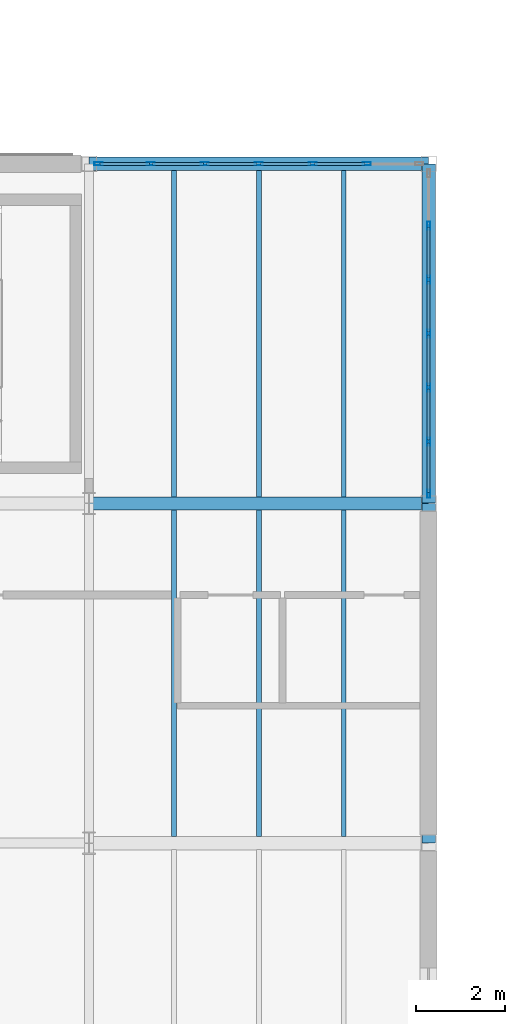
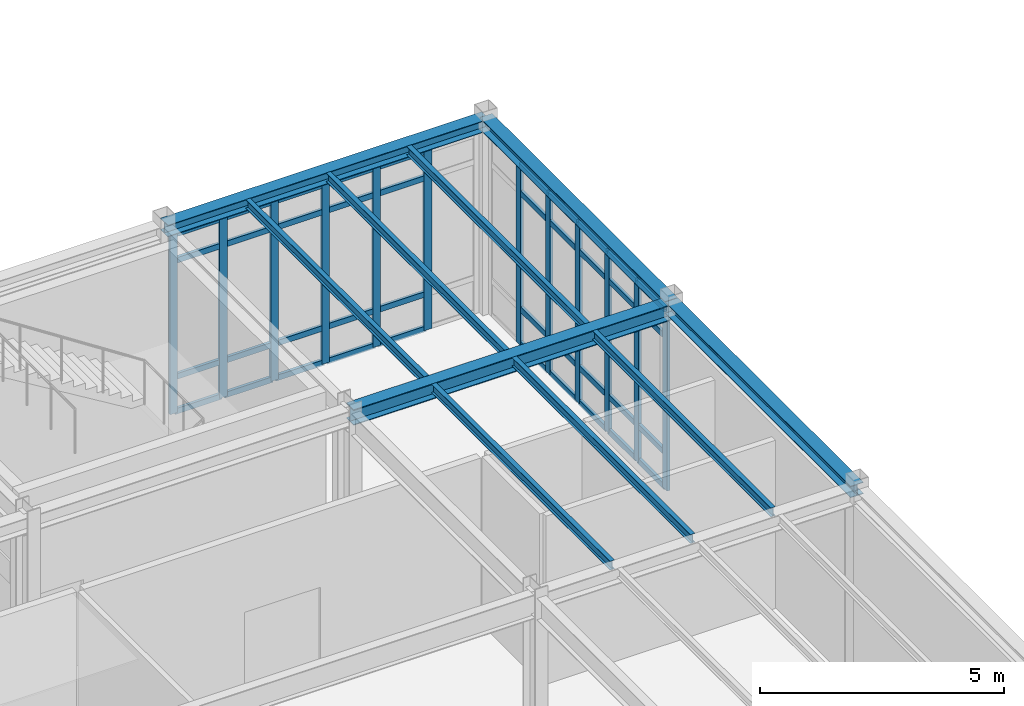
# One storey, part 54 of 109: 52 members, 10 beams, 2 elements without a shape of their own.
"""IFC4 building model written with IfcOpenShell, lengths in metres."""

from ifc_helpers import new_model, si_unit, direction, frame, origin, origin_2d, place, context, subcontext, project, spatial, hollow_rectangle, i_section, extrude, material, layer, layer_set, material_profile, profile_set, type_object, element, aggregate, save


model = new_model("IFC4")

# Units and contexts
model_context = context("Model", 3, precision=1e-05, world=origin(), true_north=direction((0.0, 1.0)))
body_context = subcontext(model_context, "Body", "Model", "MODEL_VIEW")
ifc_project = project(units=[si_unit("LENGTHUNIT", "METRE"), si_unit("AREAUNIT", "SQUARE_METRE"), si_unit("VOLUMEUNIT", "CUBIC_METRE"), si_unit("PLANEANGLEUNIT", "RADIAN"), si_unit("MASSUNIT", "GRAM", prefix="KILO")], contexts=[model_context])

# Site, building, storey
site_placement = place(None, origin())
site = spatial("IfcSite", under=ifc_project, at=site_placement, CompositionType="ELEMENT")
building_placement = place(site_placement, origin())
building = spatial("IfcBuilding", under=site, at=building_placement, Name="Montecoro Central Library", CompositionType="ELEMENT")
storey_placement = place(building_placement, origin())
storey = spatial("IfcBuildingStorey", under=building, at=storey_placement, Name="L00", CompositionType="ELEMENT", Elevation=0.0)

# Beams
ifc_material_1 = material(Name="Steel S355", Category="steel")
ifc_material_profile_1 = material_profile(ifc_material_1, i_section(OverallWidth=0.300048828125, OverallDepth=0.389892578125, WebThickness=0.010986328125, FlangeThickness=0.01904296875, at=origin_2d()), Name="HEA 400")
ifc_profile_set_1 = profile_set([ifc_material_profile_1], Name="Steel S355")
beam_type_1 = type_object("IfcBeamType", Name="BM-G-HEA400", PredefinedType="USERDEFINED", material=ifc_profile_set_1)
beam_1_placement = place(storey_placement, frame((35.405029296875, 103.800048828125, 4.64990234375), z_axis=(1.0, 0.0, 0.0), x_axis=(0.0, 1.0, 0.0)))
element("IfcBeam", 1, at=beam_1_placement, inside=storey, type_object=beam_type_1, Name="V4-L00-BX-56-P", ObjectType="GIRDER", PredefinedType="USERDEFINED", context=body_context, shape_type="SweptSolid", body=[
    extrude(i_section(OverallWidth=0.300048828125, OverallDepth=0.389892578125, WebThickness=0.010986328125, FlangeThickness=0.01904296875, at=origin_2d()), origin(), (0.0, 0.0, 1.0), 7.590087890625),
])
ifc_material_profile_2 = material_profile(ifc_material_1, i_section(OverallWidth=0.110107421875, OverallDepth=0.219970703125, WebThickness=0.005859375, FlangeThickness=0.00927734375, at=origin_2d()), Name="IPE 220")
ifc_profile_set_2 = profile_set([ifc_material_profile_2], Name="Steel S355")
beam_type_2 = type_object("IfcBeamType", Name="BM-J-IPE220", PredefinedType="JOIST", material=ifc_profile_set_2)
for number, where, z_axis, x_axis, name in (
    (2, (37.300048828125, 96.346923828125, 4.735107421875), (0.0, 1.0, 0.0), (-1.0, 0.0, 0.0), "V4-L00-JS-56-NP-1"),
    (3, (39.199951171875, 96.346923828125, 4.735107421875), (0.0, 1.0, 0.0), (-1.0, 0.0, 0.0), "V4-L00-JS-56-NP-2"),
    (4, (41.10009765625, 96.346923828125, 4.735107421875), (0.0, 1.0, 0.0), (-1.0, 0.0, 0.0), "V4-L00-JS-56-NP-3"),
):
    element("IfcBeam", number, at=place(storey_placement, frame(where, z_axis=z_axis, x_axis=x_axis)), inside=storey, type_object=beam_type_2, Name=name, PredefinedType="JOIST", context=body_context, shape_type="SweptSolid", body=[
        extrude(i_section(OverallWidth=0.110107421875, OverallDepth=0.219970703125, WebThickness=0.005859375, FlangeThickness=0.00927734375, at=origin_2d()), origin(), (0.0, 0.0, 1.0), 7.30615234375),
    ])
for number, where, z_axis, x_axis, name in (
    (5, (37.300048828125, 103.947021484375, 4.735107421875), (0.0, 1.0, 0.0), (-1.0, 0.0, 0.0), "V4-L00-JS-56-PQ-1"),
    (6, (39.199951171875, 103.947021484375, 4.735107421875), (0.0, 1.0, 0.0), (-1.0, 0.0, 0.0), "V4-L00-JS-56-PQ-2"),
    (7, (41.10009765625, 103.947021484375, 4.735107421875), (0.0, 1.0, 0.0), (-1.0, 0.0, 0.0), "V4-L00-JS-56-PQ-3"),
):
    element("IfcBeam", number, at=place(storey_placement, frame(where, z_axis=z_axis, x_axis=x_axis)), inside=storey, type_object=beam_type_2, Name=name, PredefinedType="JOIST", context=body_context, shape_type="SweptSolid", body=[
        extrude(i_section(OverallWidth=0.110107421875, OverallDepth=0.219970703125, WebThickness=0.005859375, FlangeThickness=0.00927734375, at=origin_2d()), origin(), (0.0, 0.0, 1.0), 7.305908203125),
    ])
ifc_material_profile_3 = material_profile(ifc_material_1, i_section(OverallWidth=0.300048828125, OverallDepth=0.2900390625, WebThickness=0.008544921875, FlangeThickness=0.013916015625, at=origin_2d()), Name="HEA 300")
ifc_profile_set_3 = profile_set([ifc_material_profile_3], Name="Steel S355")
beam_type_3 = type_object("IfcBeamType", Name="BM-SP-HEA300", PredefinedType="SPANDREL", material=ifc_profile_set_3)
beam_2_placement = place(storey_placement, frame((35.405029296875, 111.39990234375, 4.699951171875), z_axis=(1.0, 0.0, 0.0), x_axis=(0.0, 1.0, 0.0)))
element("IfcBeam", 8, at=beam_2_placement, inside=storey, type_object=beam_type_3, Name="V4-L00-BX-56-Q", PredefinedType="SPANDREL", context=body_context, shape_type="SweptSolid", body=[
    extrude(i_section(OverallWidth=0.300048828125, OverallDepth=0.2900390625, WebThickness=0.008544921875, FlangeThickness=0.013916015625, at=origin_2d()), origin(), (0.0, 0.0, 1.0), 7.590087890625),
])
beam_3_placement = place(storey_placement, frame((43.0, 96.205078125, 4.699951171875), z_axis=(0.0, 1.0, 0.0), x_axis=(-1.0, 0.0, 0.0)))
element("IfcBeam", 9, at=beam_3_placement, inside=storey, type_object=beam_type_3, Name="V4-L00-BY-6-NP", PredefinedType="SPANDREL", context=body_context, shape_type="SweptSolid", body=[
    extrude(i_section(OverallWidth=0.300048828125, OverallDepth=0.2900390625, WebThickness=0.008544921875, FlangeThickness=0.013916015625, at=origin_2d()), origin(), (0.0, 0.0, 1.0), 7.58984375),
])
beam_4_placement = place(storey_placement, frame((43.0, 103.804931640625, 4.699951171875), z_axis=(0.0, 1.0, 0.0), x_axis=(-1.0, 0.0, 0.0)))
element("IfcBeam", 10, at=beam_4_placement, inside=storey, type_object=beam_type_3, Name="V4-L00-BY-6-PQ", PredefinedType="SPANDREL", context=body_context, shape_type="SweptSolid", body=[
    extrude(i_section(OverallWidth=0.300048828125, OverallDepth=0.2900390625, WebThickness=0.008544921875, FlangeThickness=0.013916015625, at=origin_2d()), origin(), (0.0, 0.0, 1.0), 7.590087890625),
])

# Curtain wall, members
ifc_material_2 = material(Name="Bronze-anodised aluminium and low-E glazing", Category="aluminium")
ifc_layer_1 = layer(ifc_material_2, 0.159912109375)
ifc_layer_set_1 = layer_set([ifc_layer_1], Name="Bronze-anodised aluminium and low-E glazing")
curtain_wall_type_1 = type_object("IfcCurtainWallType", Name="CWT-039", PredefinedType="NOTDEFINED", material=ifc_layer_set_1)
curtain_wall_1_placement = place(storey_placement, origin())
curtain_wall_1 = element("IfcCurtainWall", 11, at=curtain_wall_1_placement, inside=storey, type_object=curtain_wall_type_1, Name="V4-L00-CW-E4", PredefinedType="NOTDEFINED")
ifc_material_3 = material(Name="Bronze-anodised aluminium", Category="aluminium")
ifc_material_profile_4 = material_profile(ifc_material_3, hollow_rectangle(XDim=0.070068359375, YDim=0.179931640625, WallThickness=0.0048828125, at=origin_2d()), Name="CWM 180x70x5.0")
ifc_profile_set_4 = profile_set([ifc_material_profile_4], Name="Bronze-anodised aluminium")
member_type_1 = type_object("IfcMemberType", Name="CWM-BRZ-70", PredefinedType="MULLION", material=ifc_profile_set_4)
member_1_placement = place(storey_placement, frame((43.0, 104.012939453125, 0.0), z_axis=(0.0, 0.0, 1.0), x_axis=(-1.0, 0.0, 0.0)))
member_1 = element("IfcMember", 12, at=member_1_placement, type_object=member_type_1, Name="CW-039 mullion 1", PredefinedType="MULLION", context=body_context, shape_type="SweptSolid", body=[
    extrude(hollow_rectangle(XDim=0.070068359375, YDim=0.179931640625, WallThickness=0.0048828125, at=origin_2d()), origin(), (0.0, 0.0, 1.0), 4.5),
])
member_2_placement = place(storey_placement, frame((43.0, 105.185302734375, 0.0), z_axis=(0.0, 0.0, 1.0), x_axis=(-1.0, 0.0, 0.0)))
member_2 = element("IfcMember", 13, at=member_2_placement, type_object=member_type_1, Name="CW-039 mullion 2", PredefinedType="MULLION", context=body_context, shape_type="SweptSolid", body=[
    extrude(hollow_rectangle(XDim=0.070068359375, YDim=0.179931640625, WallThickness=0.0048828125, at=origin_2d()), origin(), (0.0, 0.0, 1.0), 4.5),
])
member_3_placement = place(storey_placement, frame((43.0, 106.392578125, 0.0), z_axis=(0.0, 0.0, 1.0), x_axis=(-1.0, 0.0, 0.0)))
member_3 = element("IfcMember", 14, at=member_3_placement, type_object=member_type_1, Name="CW-039 mullion 3", PredefinedType="MULLION", context=body_context, shape_type="SweptSolid", body=[
    extrude(hollow_rectangle(XDim=0.070068359375, YDim=0.179931640625, WallThickness=0.0048828125, at=origin_2d()), origin(), (0.0, 0.0, 1.0), 4.5),
])
member_4_placement = place(storey_placement, frame((43.0, 107.60009765625, 0.0), z_axis=(0.0, 0.0, 1.0), x_axis=(-1.0, 0.0, 0.0)))
member_4 = element("IfcMember", 15, at=member_4_placement, type_object=member_type_1, Name="CW-039 mullion 4", PredefinedType="MULLION", context=body_context, shape_type="SweptSolid", body=[
    extrude(hollow_rectangle(XDim=0.070068359375, YDim=0.179931640625, WallThickness=0.0048828125, at=origin_2d()), origin(), (0.0, 0.0, 1.0), 4.5),
])
member_5_placement = place(storey_placement, frame((43.0, 108.807373046875, 0.0), z_axis=(0.0, 0.0, 1.0), x_axis=(-1.0, 0.0, 0.0)))
member_5 = element("IfcMember", 16, at=member_5_placement, type_object=member_type_1, Name="CW-039 mullion 5", PredefinedType="MULLION", context=body_context, shape_type="SweptSolid", body=[
    extrude(hollow_rectangle(XDim=0.070068359375, YDim=0.179931640625, WallThickness=0.0048828125, at=origin_2d()), origin(), (0.0, 0.0, 1.0), 4.5),
])
member_6_placement = place(storey_placement, frame((43.0, 110.0146484375, 0.0), z_axis=(0.0, 0.0, 1.0), x_axis=(-1.0, 0.0, 0.0)))
member_6 = element("IfcMember", 17, at=member_6_placement, type_object=member_type_1, Name="CW-039 mullion 6", PredefinedType="MULLION", context=body_context, shape_type="SweptSolid", body=[
    extrude(hollow_rectangle(XDim=0.070068359375, YDim=0.179931640625, WallThickness=0.0048828125, at=origin_2d()), origin(), (0.0, 0.0, 1.0), 4.5),
])

ifc_layer_2 = layer(ifc_material_2, 0.159912109375)
ifc_layer_set_2 = layer_set([ifc_layer_2], Name="Bronze-anodised aluminium and low-E glazing")
curtain_wall_type_2 = type_object("IfcCurtainWallType", Name="CWT-040", PredefinedType="NOTDEFINED", material=ifc_layer_set_2)
curtain_wall_2_placement = place(storey_placement, origin())
curtain_wall_2 = element("IfcCurtainWall", 18, at=curtain_wall_2_placement, inside=storey, type_object=curtain_wall_type_2, Name="V4-L00-CW-N4", PredefinedType="NOTDEFINED")
member_7_placement = place(storey_placement, frame((41.61474609375, 111.39990234375, 0.0), z_axis=(0.0, 0.0, 1.0), x_axis=(0.0, -1.0, 0.0)))
member_7 = element("IfcMember", 19, at=member_7_placement, type_object=member_type_1, Name="CW-040 mullion 2", PredefinedType="MULLION", context=body_context, shape_type="SweptSolid", body=[
    extrude(hollow_rectangle(XDim=0.070068359375, YDim=0.179931640625, WallThickness=0.0048828125, at=origin_2d()), origin(), (0.0, 0.0, 1.0), 4.5),
])
member_8_placement = place(storey_placement, frame((40.4072265625, 111.39990234375, 0.0), z_axis=(0.0, 0.0, 1.0), x_axis=(0.0, -1.0, 0.0)))
member_8 = element("IfcMember", 20, at=member_8_placement, type_object=member_type_1, Name="CW-040 mullion 3", PredefinedType="MULLION", context=body_context, shape_type="SweptSolid", body=[
    extrude(hollow_rectangle(XDim=0.070068359375, YDim=0.179931640625, WallThickness=0.0048828125, at=origin_2d()), origin(), (0.0, 0.0, 1.0), 4.5),
])
member_9_placement = place(storey_placement, frame((39.199951171875, 111.39990234375, 0.0), z_axis=(0.0, 0.0, 1.0), x_axis=(0.0, -1.0, 0.0)))
member_9 = element("IfcMember", 21, at=member_9_placement, type_object=member_type_1, Name="CW-040 mullion 4", PredefinedType="MULLION", context=body_context, shape_type="SweptSolid", body=[
    extrude(hollow_rectangle(XDim=0.070068359375, YDim=0.179931640625, WallThickness=0.0048828125, at=origin_2d()), origin(), (0.0, 0.0, 1.0), 4.5),
])
member_10_placement = place(storey_placement, frame((37.99267578125, 111.39990234375, 0.0), z_axis=(0.0, 0.0, 1.0), x_axis=(0.0, -1.0, 0.0)))
member_10 = element("IfcMember", 22, at=member_10_placement, type_object=member_type_1, Name="CW-040 mullion 5", PredefinedType="MULLION", context=body_context, shape_type="SweptSolid", body=[
    extrude(hollow_rectangle(XDim=0.070068359375, YDim=0.179931640625, WallThickness=0.0048828125, at=origin_2d()), origin(), (0.0, 0.0, 1.0), 4.5),
])
member_11_placement = place(storey_placement, frame((36.785400390625, 111.39990234375, 0.0), z_axis=(0.0, 0.0, 1.0), x_axis=(0.0, -1.0, 0.0)))
member_11 = element("IfcMember", 23, at=member_11_placement, type_object=member_type_1, Name="CW-040 mullion 6", PredefinedType="MULLION", context=body_context, shape_type="SweptSolid", body=[
    extrude(hollow_rectangle(XDim=0.070068359375, YDim=0.179931640625, WallThickness=0.0048828125, at=origin_2d()), origin(), (0.0, 0.0, 1.0), 4.5),
])
member_12_placement = place(storey_placement, frame((35.613037109375, 111.39990234375, 0.0), z_axis=(0.0, 0.0, 1.0), x_axis=(0.0, -1.0, 0.0)))
member_12 = element("IfcMember", 24, at=member_12_placement, type_object=member_type_1, Name="CW-040 mullion 7", PredefinedType="MULLION", context=body_context, shape_type="SweptSolid", body=[
    extrude(hollow_rectangle(XDim=0.070068359375, YDim=0.179931640625, WallThickness=0.0048828125, at=origin_2d()), origin(), (0.0, 0.0, 1.0), 4.5),
])

# Member
ifc_material_profile_5 = material_profile(ifc_material_3, hollow_rectangle(XDim=0.070068359375, YDim=0.139892578125, WallThickness=0.00390625, at=origin_2d()), Name="CWT 140x70x4.0")
ifc_profile_set_5 = profile_set([ifc_material_profile_5], Name="Bronze-anodised aluminium")
member_type_2 = type_object("IfcMemberType", Name="CWT-BRZ-70", PredefinedType="USERDEFINED", material=ifc_profile_set_5)
member_13_placement = place(storey_placement, frame((43.0, 104.048095703125, 0.034912109375), z_axis=(0.0, 1.0, 0.0), x_axis=(-1.0, 0.0, 0.0)))
member_13 = element("IfcMember", 25, at=member_13_placement, type_object=member_type_2, Name="CW-039 transom 1.1", ObjectType="TRANSOM", PredefinedType="USERDEFINED", context=body_context, shape_type="SweptSolid", body=[
    extrude(hollow_rectangle(XDim=0.070068359375, YDim=0.139892578125, WallThickness=0.00390625, at=origin_2d()), origin(), (0.0, 0.0, 1.0), 1.102294921875),
])

member_14_placement = place(storey_placement, frame((43.0, 104.048095703125, 0.89990234375), z_axis=(0.0, 1.0, 0.0), x_axis=(-1.0, 0.0, 0.0)))
member_14 = element("IfcMember", 26, at=member_14_placement, type_object=member_type_2, Name="CW-039 transom 1.2", ObjectType="TRANSOM", PredefinedType="USERDEFINED", context=body_context, shape_type="SweptSolid", body=[
    extrude(hollow_rectangle(XDim=0.070068359375, YDim=0.139892578125, WallThickness=0.00390625, at=origin_2d()), origin(), (0.0, 0.0, 1.0), 1.102294921875),
])

member_15_placement = place(storey_placement, frame((43.0, 104.048095703125, 3.800048828125), z_axis=(0.0, 1.0, 0.0), x_axis=(-1.0, 0.0, 0.0)))
member_15 = element("IfcMember", 27, at=member_15_placement, type_object=member_type_2, Name="CW-039 transom 1.3", ObjectType="TRANSOM", PredefinedType="USERDEFINED", context=body_context, shape_type="SweptSolid", body=[
    extrude(hollow_rectangle(XDim=0.070068359375, YDim=0.139892578125, WallThickness=0.00390625, at=origin_2d()), origin(), (0.0, 0.0, 1.0), 1.102294921875),
])

member_16_placement = place(storey_placement, frame((43.0, 104.048095703125, 4.465087890625), z_axis=(0.0, 1.0, 0.0), x_axis=(-1.0, 0.0, 0.0)))
member_16 = element("IfcMember", 28, at=member_16_placement, type_object=member_type_2, Name="CW-039 transom 1.4", ObjectType="TRANSOM", PredefinedType="USERDEFINED", context=body_context, shape_type="SweptSolid", body=[
    extrude(hollow_rectangle(XDim=0.070068359375, YDim=0.139892578125, WallThickness=0.00390625, at=origin_2d()), origin(), (0.0, 0.0, 1.0), 1.102294921875),
])

member_17_placement = place(storey_placement, frame((43.0, 105.22021484375, 0.034912109375), z_axis=(0.0, 1.0, 0.0), x_axis=(-1.0, 0.0, 0.0)))
member_17 = element("IfcMember", 29, at=member_17_placement, type_object=member_type_2, Name="CW-039 transom 2.1", ObjectType="TRANSOM", PredefinedType="USERDEFINED", context=body_context, shape_type="SweptSolid", body=[
    extrude(hollow_rectangle(XDim=0.070068359375, YDim=0.139892578125, WallThickness=0.00390625, at=origin_2d()), origin(), (0.0, 0.0, 1.0), 1.137451171875),
])

member_18_placement = place(storey_placement, frame((43.0, 105.22021484375, 0.89990234375), z_axis=(0.0, 1.0, 0.0), x_axis=(-1.0, 0.0, 0.0)))
member_18 = element("IfcMember", 30, at=member_18_placement, type_object=member_type_2, Name="CW-039 transom 2.2", ObjectType="TRANSOM", PredefinedType="USERDEFINED", context=body_context, shape_type="SweptSolid", body=[
    extrude(hollow_rectangle(XDim=0.070068359375, YDim=0.139892578125, WallThickness=0.00390625, at=origin_2d()), origin(), (0.0, 0.0, 1.0), 1.137451171875),
])

member_19_placement = place(storey_placement, frame((43.0, 105.22021484375, 3.800048828125), z_axis=(0.0, 1.0, 0.0), x_axis=(-1.0, 0.0, 0.0)))
member_19 = element("IfcMember", 31, at=member_19_placement, type_object=member_type_2, Name="CW-039 transom 2.3", ObjectType="TRANSOM", PredefinedType="USERDEFINED", context=body_context, shape_type="SweptSolid", body=[
    extrude(hollow_rectangle(XDim=0.070068359375, YDim=0.139892578125, WallThickness=0.00390625, at=origin_2d()), origin(), (0.0, 0.0, 1.0), 1.137451171875),
])

member_20_placement = place(storey_placement, frame((43.0, 105.22021484375, 4.465087890625), z_axis=(0.0, 1.0, 0.0), x_axis=(-1.0, 0.0, 0.0)))
member_20 = element("IfcMember", 32, at=member_20_placement, type_object=member_type_2, Name="CW-039 transom 2.4", ObjectType="TRANSOM", PredefinedType="USERDEFINED", context=body_context, shape_type="SweptSolid", body=[
    extrude(hollow_rectangle(XDim=0.070068359375, YDim=0.139892578125, WallThickness=0.00390625, at=origin_2d()), origin(), (0.0, 0.0, 1.0), 1.137451171875),
])

member_21_placement = place(storey_placement, frame((43.0, 106.427734375, 0.034912109375), z_axis=(0.0, 1.0, 0.0), x_axis=(-1.0, 0.0, 0.0)))
member_21 = element("IfcMember", 33, at=member_21_placement, type_object=member_type_2, Name="CW-039 transom 3.1", ObjectType="TRANSOM", PredefinedType="USERDEFINED", context=body_context, shape_type="SweptSolid", body=[
    extrude(hollow_rectangle(XDim=0.070068359375, YDim=0.139892578125, WallThickness=0.00390625, at=origin_2d()), origin(), (0.0, 0.0, 1.0), 1.13720703125),
])

member_22_placement = place(storey_placement, frame((43.0, 106.427734375, 0.89990234375), z_axis=(0.0, 1.0, 0.0), x_axis=(-1.0, 0.0, 0.0)))
member_22 = element("IfcMember", 34, at=member_22_placement, type_object=member_type_2, Name="CW-039 transom 3.2", ObjectType="TRANSOM", PredefinedType="USERDEFINED", context=body_context, shape_type="SweptSolid", body=[
    extrude(hollow_rectangle(XDim=0.070068359375, YDim=0.139892578125, WallThickness=0.00390625, at=origin_2d()), origin(), (0.0, 0.0, 1.0), 1.13720703125),
])

member_23_placement = place(storey_placement, frame((43.0, 106.427734375, 3.800048828125), z_axis=(0.0, 1.0, 0.0), x_axis=(-1.0, 0.0, 0.0)))
member_23 = element("IfcMember", 35, at=member_23_placement, type_object=member_type_2, Name="CW-039 transom 3.3", ObjectType="TRANSOM", PredefinedType="USERDEFINED", context=body_context, shape_type="SweptSolid", body=[
    extrude(hollow_rectangle(XDim=0.070068359375, YDim=0.139892578125, WallThickness=0.00390625, at=origin_2d()), origin(), (0.0, 0.0, 1.0), 1.13720703125),
])

member_24_placement = place(storey_placement, frame((43.0, 106.427734375, 4.465087890625), z_axis=(0.0, 1.0, 0.0), x_axis=(-1.0, 0.0, 0.0)))
member_24 = element("IfcMember", 36, at=member_24_placement, type_object=member_type_2, Name="CW-039 transom 3.4", ObjectType="TRANSOM", PredefinedType="USERDEFINED", context=body_context, shape_type="SweptSolid", body=[
    extrude(hollow_rectangle(XDim=0.070068359375, YDim=0.139892578125, WallThickness=0.00390625, at=origin_2d()), origin(), (0.0, 0.0, 1.0), 1.13720703125),
])

member_25_placement = place(storey_placement, frame((43.0, 107.635009765625, 0.034912109375), z_axis=(0.0, 1.0, 0.0), x_axis=(-1.0, 0.0, 0.0)))
member_25 = element("IfcMember", 37, at=member_25_placement, type_object=member_type_2, Name="CW-039 transom 4.1", ObjectType="TRANSOM", PredefinedType="USERDEFINED", context=body_context, shape_type="SweptSolid", body=[
    extrude(hollow_rectangle(XDim=0.070068359375, YDim=0.139892578125, WallThickness=0.00390625, at=origin_2d()), origin(), (0.0, 0.0, 1.0), 1.13720703125),
])

member_26_placement = place(storey_placement, frame((43.0, 107.635009765625, 0.89990234375), z_axis=(0.0, 1.0, 0.0), x_axis=(-1.0, 0.0, 0.0)))
member_26 = element("IfcMember", 38, at=member_26_placement, type_object=member_type_2, Name="CW-039 transom 4.2", ObjectType="TRANSOM", PredefinedType="USERDEFINED", context=body_context, shape_type="SweptSolid", body=[
    extrude(hollow_rectangle(XDim=0.070068359375, YDim=0.139892578125, WallThickness=0.00390625, at=origin_2d()), origin(), (0.0, 0.0, 1.0), 1.13720703125),
])

member_27_placement = place(storey_placement, frame((43.0, 107.635009765625, 3.800048828125), z_axis=(0.0, 1.0, 0.0), x_axis=(-1.0, 0.0, 0.0)))
member_27 = element("IfcMember", 39, at=member_27_placement, type_object=member_type_2, Name="CW-039 transom 4.3", ObjectType="TRANSOM", PredefinedType="USERDEFINED", context=body_context, shape_type="SweptSolid", body=[
    extrude(hollow_rectangle(XDim=0.070068359375, YDim=0.139892578125, WallThickness=0.00390625, at=origin_2d()), origin(), (0.0, 0.0, 1.0), 1.13720703125),
])

member_28_placement = place(storey_placement, frame((43.0, 107.635009765625, 4.465087890625), z_axis=(0.0, 1.0, 0.0), x_axis=(-1.0, 0.0, 0.0)))
member_28 = element("IfcMember", 40, at=member_28_placement, type_object=member_type_2, Name="CW-039 transom 4.4", ObjectType="TRANSOM", PredefinedType="USERDEFINED", context=body_context, shape_type="SweptSolid", body=[
    extrude(hollow_rectangle(XDim=0.070068359375, YDim=0.139892578125, WallThickness=0.00390625, at=origin_2d()), origin(), (0.0, 0.0, 1.0), 1.13720703125),
])

member_29_placement = place(storey_placement, frame((43.0, 108.84228515625, 0.034912109375), z_axis=(0.0, 1.0, 0.0), x_axis=(-1.0, 0.0, 0.0)))
member_29 = element("IfcMember", 41, at=member_29_placement, type_object=member_type_2, Name="CW-039 transom 5.1", ObjectType="TRANSOM", PredefinedType="USERDEFINED", context=body_context, shape_type="SweptSolid", body=[
    extrude(hollow_rectangle(XDim=0.070068359375, YDim=0.139892578125, WallThickness=0.00390625, at=origin_2d()), origin(), (0.0, 0.0, 1.0), 1.137451171875),
])

member_30_placement = place(storey_placement, frame((43.0, 108.84228515625, 0.89990234375), z_axis=(0.0, 1.0, 0.0), x_axis=(-1.0, 0.0, 0.0)))
member_30 = element("IfcMember", 42, at=member_30_placement, type_object=member_type_2, Name="CW-039 transom 5.2", ObjectType="TRANSOM", PredefinedType="USERDEFINED", context=body_context, shape_type="SweptSolid", body=[
    extrude(hollow_rectangle(XDim=0.070068359375, YDim=0.139892578125, WallThickness=0.00390625, at=origin_2d()), origin(), (0.0, 0.0, 1.0), 1.137451171875),
])

member_31_placement = place(storey_placement, frame((43.0, 108.84228515625, 3.800048828125), z_axis=(0.0, 1.0, 0.0), x_axis=(-1.0, 0.0, 0.0)))
member_31 = element("IfcMember", 43, at=member_31_placement, type_object=member_type_2, Name="CW-039 transom 5.3", ObjectType="TRANSOM", PredefinedType="USERDEFINED", context=body_context, shape_type="SweptSolid", body=[
    extrude(hollow_rectangle(XDim=0.070068359375, YDim=0.139892578125, WallThickness=0.00390625, at=origin_2d()), origin(), (0.0, 0.0, 1.0), 1.137451171875),
])

member_32_placement = place(storey_placement, frame((43.0, 108.84228515625, 4.465087890625), z_axis=(0.0, 1.0, 0.0), x_axis=(-1.0, 0.0, 0.0)))
member_32 = element("IfcMember", 44, at=member_32_placement, type_object=member_type_2, Name="CW-039 transom 5.4", ObjectType="TRANSOM", PredefinedType="USERDEFINED", context=body_context, shape_type="SweptSolid", body=[
    extrude(hollow_rectangle(XDim=0.070068359375, YDim=0.139892578125, WallThickness=0.00390625, at=origin_2d()), origin(), (0.0, 0.0, 1.0), 1.137451171875),
])

aggregate(curtain_wall_1, [member_1, member_2, member_3, member_4, member_5, member_6, member_13, member_14, member_15, member_16, member_17, member_18, member_19, member_20, member_21, member_22, member_23, member_24, member_25, member_26, member_27, member_28, member_29, member_30, member_31, member_32])

member_33_placement = place(storey_placement, frame((41.57958984375, 111.39990234375, 0.034912109375), z_axis=(-1.0, 0.0, 0.0), x_axis=(0.0, -1.0, 0.0)))
member_33 = element("IfcMember", 45, at=member_33_placement, type_object=member_type_2, Name="CW-040 transom 2.1", ObjectType="TRANSOM", PredefinedType="USERDEFINED", context=body_context, shape_type="SweptSolid", body=[
    extrude(hollow_rectangle(XDim=0.070068359375, YDim=0.139892578125, WallThickness=0.00390625, at=origin_2d()), origin(), (0.0, 0.0, 1.0), 1.13720703125),
])

member_34_placement = place(storey_placement, frame((41.57958984375, 111.39990234375, 0.89990234375), z_axis=(-1.0, 0.0, 0.0), x_axis=(0.0, -1.0, 0.0)))
member_34 = element("IfcMember", 46, at=member_34_placement, type_object=member_type_2, Name="CW-040 transom 2.2", ObjectType="TRANSOM", PredefinedType="USERDEFINED", context=body_context, shape_type="SweptSolid", body=[
    extrude(hollow_rectangle(XDim=0.070068359375, YDim=0.139892578125, WallThickness=0.00390625, at=origin_2d()), origin(), (0.0, 0.0, 1.0), 1.13720703125),
])

member_35_placement = place(storey_placement, frame((41.57958984375, 111.39990234375, 3.800048828125), z_axis=(-1.0, 0.0, 0.0), x_axis=(0.0, -1.0, 0.0)))
member_35 = element("IfcMember", 47, at=member_35_placement, type_object=member_type_2, Name="CW-040 transom 2.3", ObjectType="TRANSOM", PredefinedType="USERDEFINED", context=body_context, shape_type="SweptSolid", body=[
    extrude(hollow_rectangle(XDim=0.070068359375, YDim=0.139892578125, WallThickness=0.00390625, at=origin_2d()), origin(), (0.0, 0.0, 1.0), 1.13720703125),
])

member_36_placement = place(storey_placement, frame((41.57958984375, 111.39990234375, 4.465087890625), z_axis=(-1.0, 0.0, 0.0), x_axis=(0.0, -1.0, 0.0)))
member_36 = element("IfcMember", 48, at=member_36_placement, type_object=member_type_2, Name="CW-040 transom 2.4", ObjectType="TRANSOM", PredefinedType="USERDEFINED", context=body_context, shape_type="SweptSolid", body=[
    extrude(hollow_rectangle(XDim=0.070068359375, YDim=0.139892578125, WallThickness=0.00390625, at=origin_2d()), origin(), (0.0, 0.0, 1.0), 1.13720703125),
])

member_37_placement = place(storey_placement, frame((40.372314453125, 111.39990234375, 0.034912109375), z_axis=(-1.0, 0.0, 0.0), x_axis=(0.0, -1.0, 0.0)))
member_37 = element("IfcMember", 49, at=member_37_placement, type_object=member_type_2, Name="CW-040 transom 3.1", ObjectType="TRANSOM", PredefinedType="USERDEFINED", context=body_context, shape_type="SweptSolid", body=[
    extrude(hollow_rectangle(XDim=0.070068359375, YDim=0.139892578125, WallThickness=0.00390625, at=origin_2d()), origin(), (0.0, 0.0, 1.0), 1.13720703125),
])

member_38_placement = place(storey_placement, frame((40.372314453125, 111.39990234375, 0.89990234375), z_axis=(-1.0, 0.0, 0.0), x_axis=(0.0, -1.0, 0.0)))
member_38 = element("IfcMember", 50, at=member_38_placement, type_object=member_type_2, Name="CW-040 transom 3.2", ObjectType="TRANSOM", PredefinedType="USERDEFINED", context=body_context, shape_type="SweptSolid", body=[
    extrude(hollow_rectangle(XDim=0.070068359375, YDim=0.139892578125, WallThickness=0.00390625, at=origin_2d()), origin(), (0.0, 0.0, 1.0), 1.13720703125),
])

member_39_placement = place(storey_placement, frame((40.372314453125, 111.39990234375, 3.800048828125), z_axis=(-1.0, 0.0, 0.0), x_axis=(0.0, -1.0, 0.0)))
member_39 = element("IfcMember", 51, at=member_39_placement, type_object=member_type_2, Name="CW-040 transom 3.3", ObjectType="TRANSOM", PredefinedType="USERDEFINED", context=body_context, shape_type="SweptSolid", body=[
    extrude(hollow_rectangle(XDim=0.070068359375, YDim=0.139892578125, WallThickness=0.00390625, at=origin_2d()), origin(), (0.0, 0.0, 1.0), 1.13720703125),
])

member_40_placement = place(storey_placement, frame((40.372314453125, 111.39990234375, 4.465087890625), z_axis=(-1.0, 0.0, 0.0), x_axis=(0.0, -1.0, 0.0)))
member_40 = element("IfcMember", 52, at=member_40_placement, type_object=member_type_2, Name="CW-040 transom 3.4", ObjectType="TRANSOM", PredefinedType="USERDEFINED", context=body_context, shape_type="SweptSolid", body=[
    extrude(hollow_rectangle(XDim=0.070068359375, YDim=0.139892578125, WallThickness=0.00390625, at=origin_2d()), origin(), (0.0, 0.0, 1.0), 1.13720703125),
])

member_41_placement = place(storey_placement, frame((39.1650390625, 111.39990234375, 0.034912109375), z_axis=(-1.0, 0.0, 0.0), x_axis=(0.0, -1.0, 0.0)))
member_41 = element("IfcMember", 53, at=member_41_placement, type_object=member_type_2, Name="CW-040 transom 4.1", ObjectType="TRANSOM", PredefinedType="USERDEFINED", context=body_context, shape_type="SweptSolid", body=[
    extrude(hollow_rectangle(XDim=0.070068359375, YDim=0.139892578125, WallThickness=0.00390625, at=origin_2d()), origin(), (0.0, 0.0, 1.0), 1.137451171875),
])

member_42_placement = place(storey_placement, frame((39.1650390625, 111.39990234375, 0.89990234375), z_axis=(-1.0, 0.0, 0.0), x_axis=(0.0, -1.0, 0.0)))
member_42 = element("IfcMember", 54, at=member_42_placement, type_object=member_type_2, Name="CW-040 transom 4.2", ObjectType="TRANSOM", PredefinedType="USERDEFINED", context=body_context, shape_type="SweptSolid", body=[
    extrude(hollow_rectangle(XDim=0.070068359375, YDim=0.139892578125, WallThickness=0.00390625, at=origin_2d()), origin(), (0.0, 0.0, 1.0), 1.137451171875),
])

member_43_placement = place(storey_placement, frame((39.1650390625, 111.39990234375, 3.800048828125), z_axis=(-1.0, 0.0, 0.0), x_axis=(0.0, -1.0, 0.0)))
member_43 = element("IfcMember", 55, at=member_43_placement, type_object=member_type_2, Name="CW-040 transom 4.3", ObjectType="TRANSOM", PredefinedType="USERDEFINED", context=body_context, shape_type="SweptSolid", body=[
    extrude(hollow_rectangle(XDim=0.070068359375, YDim=0.139892578125, WallThickness=0.00390625, at=origin_2d()), origin(), (0.0, 0.0, 1.0), 1.137451171875),
])

member_44_placement = place(storey_placement, frame((39.1650390625, 111.39990234375, 4.465087890625), z_axis=(-1.0, 0.0, 0.0), x_axis=(0.0, -1.0, 0.0)))
member_44 = element("IfcMember", 56, at=member_44_placement, type_object=member_type_2, Name="CW-040 transom 4.4", ObjectType="TRANSOM", PredefinedType="USERDEFINED", context=body_context, shape_type="SweptSolid", body=[
    extrude(hollow_rectangle(XDim=0.070068359375, YDim=0.139892578125, WallThickness=0.00390625, at=origin_2d()), origin(), (0.0, 0.0, 1.0), 1.137451171875),
])

member_45_placement = place(storey_placement, frame((37.957763671875, 111.39990234375, 0.034912109375), z_axis=(-1.0, 0.0, 0.0), x_axis=(0.0, -1.0, 0.0)))
member_45 = element("IfcMember", 57, at=member_45_placement, type_object=member_type_2, Name="CW-040 transom 5.1", ObjectType="TRANSOM", PredefinedType="USERDEFINED", context=body_context, shape_type="SweptSolid", body=[
    extrude(hollow_rectangle(XDim=0.070068359375, YDim=0.139892578125, WallThickness=0.00390625, at=origin_2d()), origin(), (0.0, 0.0, 1.0), 1.137451171875),
])

member_46_placement = place(storey_placement, frame((37.957763671875, 111.39990234375, 0.89990234375), z_axis=(-1.0, 0.0, 0.0), x_axis=(0.0, -1.0, 0.0)))
member_46 = element("IfcMember", 58, at=member_46_placement, type_object=member_type_2, Name="CW-040 transom 5.2", ObjectType="TRANSOM", PredefinedType="USERDEFINED", context=body_context, shape_type="SweptSolid", body=[
    extrude(hollow_rectangle(XDim=0.070068359375, YDim=0.139892578125, WallThickness=0.00390625, at=origin_2d()), origin(), (0.0, 0.0, 1.0), 1.137451171875),
])

member_47_placement = place(storey_placement, frame((37.957763671875, 111.39990234375, 3.800048828125), z_axis=(-1.0, 0.0, 0.0), x_axis=(0.0, -1.0, 0.0)))
member_47 = element("IfcMember", 59, at=member_47_placement, type_object=member_type_2, Name="CW-040 transom 5.3", ObjectType="TRANSOM", PredefinedType="USERDEFINED", context=body_context, shape_type="SweptSolid", body=[
    extrude(hollow_rectangle(XDim=0.070068359375, YDim=0.139892578125, WallThickness=0.00390625, at=origin_2d()), origin(), (0.0, 0.0, 1.0), 1.137451171875),
])

member_48_placement = place(storey_placement, frame((37.957763671875, 111.39990234375, 4.465087890625), z_axis=(-1.0, 0.0, 0.0), x_axis=(0.0, -1.0, 0.0)))
member_48 = element("IfcMember", 60, at=member_48_placement, type_object=member_type_2, Name="CW-040 transom 5.4", ObjectType="TRANSOM", PredefinedType="USERDEFINED", context=body_context, shape_type="SweptSolid", body=[
    extrude(hollow_rectangle(XDim=0.070068359375, YDim=0.139892578125, WallThickness=0.00390625, at=origin_2d()), origin(), (0.0, 0.0, 1.0), 1.137451171875),
])

member_49_placement = place(storey_placement, frame((36.750244140625, 111.39990234375, 0.034912109375), z_axis=(-1.0, 0.0, 0.0), x_axis=(0.0, -1.0, 0.0)))
member_49 = element("IfcMember", 61, at=member_49_placement, type_object=member_type_2, Name="CW-040 transom 6.1", ObjectType="TRANSOM", PredefinedType="USERDEFINED", context=body_context, shape_type="SweptSolid", body=[
    extrude(hollow_rectangle(XDim=0.070068359375, YDim=0.139892578125, WallThickness=0.00390625, at=origin_2d()), origin(), (0.0, 0.0, 1.0), 1.102294921875),
])

member_50_placement = place(storey_placement, frame((36.750244140625, 111.39990234375, 0.89990234375), z_axis=(-1.0, 0.0, 0.0), x_axis=(0.0, -1.0, 0.0)))
member_50 = element("IfcMember", 62, at=member_50_placement, type_object=member_type_2, Name="CW-040 transom 6.2", ObjectType="TRANSOM", PredefinedType="USERDEFINED", context=body_context, shape_type="SweptSolid", body=[
    extrude(hollow_rectangle(XDim=0.070068359375, YDim=0.139892578125, WallThickness=0.00390625, at=origin_2d()), origin(), (0.0, 0.0, 1.0), 1.102294921875),
])

member_51_placement = place(storey_placement, frame((36.750244140625, 111.39990234375, 3.800048828125), z_axis=(-1.0, 0.0, 0.0), x_axis=(0.0, -1.0, 0.0)))
member_51 = element("IfcMember", 63, at=member_51_placement, type_object=member_type_2, Name="CW-040 transom 6.3", ObjectType="TRANSOM", PredefinedType="USERDEFINED", context=body_context, shape_type="SweptSolid", body=[
    extrude(hollow_rectangle(XDim=0.070068359375, YDim=0.139892578125, WallThickness=0.00390625, at=origin_2d()), origin(), (0.0, 0.0, 1.0), 1.102294921875),
])

member_52_placement = place(storey_placement, frame((36.750244140625, 111.39990234375, 4.465087890625), z_axis=(-1.0, 0.0, 0.0), x_axis=(0.0, -1.0, 0.0)))
member_52 = element("IfcMember", 64, at=member_52_placement, type_object=member_type_2, Name="CW-040 transom 6.4", ObjectType="TRANSOM", PredefinedType="USERDEFINED", context=body_context, shape_type="SweptSolid", body=[
    extrude(hollow_rectangle(XDim=0.070068359375, YDim=0.139892578125, WallThickness=0.00390625, at=origin_2d()), origin(), (0.0, 0.0, 1.0), 1.102294921875),
])

aggregate(curtain_wall_2, [member_7, member_8, member_9, member_10, member_11, member_12, member_33, member_34, member_35, member_36, member_37, member_38, member_39, member_40, member_41, member_42, member_43, member_44, member_45, member_46, member_47, member_48, member_49, member_50, member_51, member_52])

save(model, "model.ifc")
